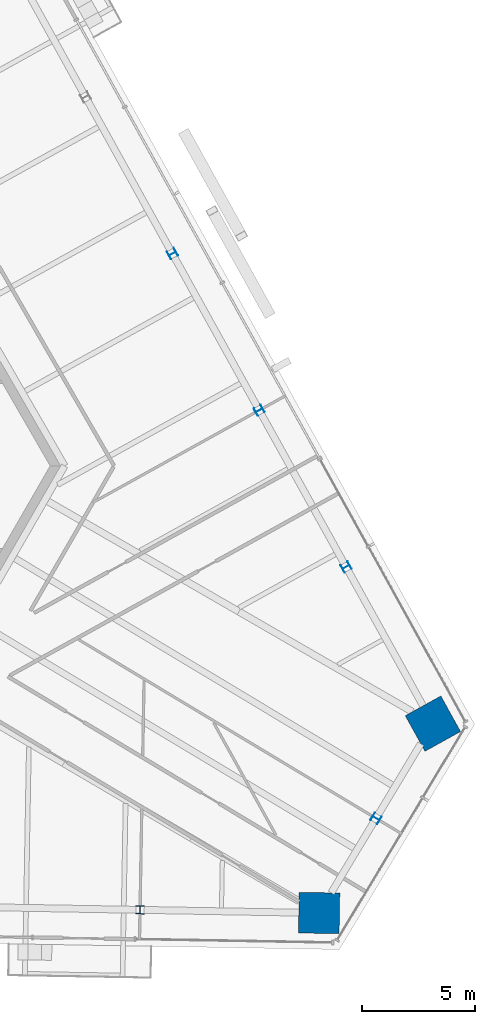
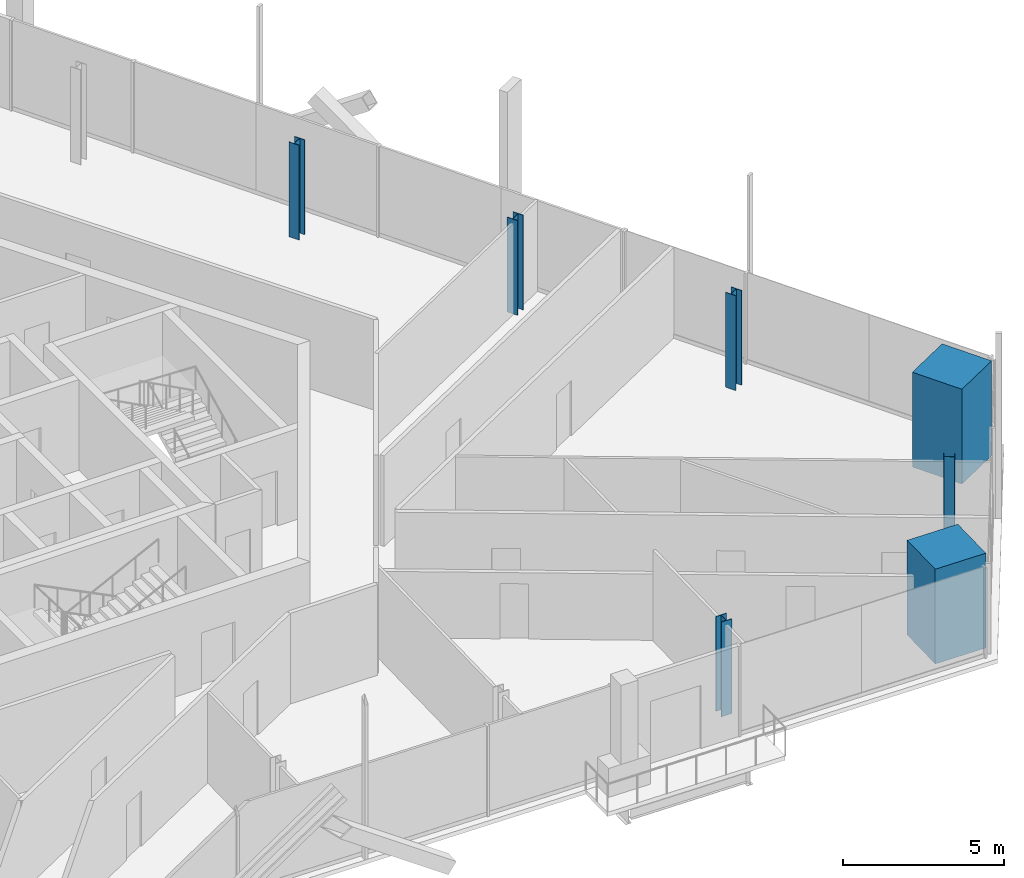
# One storey, part 2 of 20: 7 columns.
"""IFC4 building model written with IfcOpenShell, lengths in metres."""

from ifc_helpers import new_model, si_unit, direction, frame, origin, origin_2d, place, context, subcontext, project, spatial, rectangle, i_section, extrude, source, transform, mapped, material, material_profile, profile_set, type_object, element, save


model = new_model("IFC4")

# Units and contexts
model_context = context("Model", 3, precision=1e-05, world=origin(), true_north=direction((0.0, 1.0)))
body_context = subcontext(model_context, "Body", "Model", "MODEL_VIEW")
ifc_project = project(units=[si_unit("LENGTHUNIT", "METRE"), si_unit("AREAUNIT", "SQUARE_METRE"), si_unit("VOLUMEUNIT", "CUBIC_METRE"), si_unit("PLANEANGLEUNIT", "RADIAN"), si_unit("MASSUNIT", "GRAM", prefix="KILO")], contexts=[model_context])

# Site, building, storey
site_placement = place(None, origin())
site = spatial("IfcSite", under=ifc_project, at=site_placement, CompositionType="ELEMENT")
building_placement = place(site_placement, origin())
building = spatial("IfcBuilding", under=site, at=building_placement, Name="Triune Harvest Tower", CompositionType="ELEMENT")
storey_placement = place(building_placement, frame((0.0, 0.0, 194.300048828125)))
storey = spatial("IfcBuildingStorey", under=building, at=storey_placement, Name="L50", CompositionType="ELEMENT", Elevation=194.300048828125)

# Columns
ifc_material_1 = material(Name="Concrete 70 MPa", Category="concrete")
ifc_material_profile_1 = material_profile(ifc_material_1, rectangle(XDim=1.800048828125, YDim=1.800048828125, at=origin_2d()), Name="Composite 1800x1800")
ifc_profile_set_1 = profile_set([ifc_material_profile_1], Name="Concrete 70 MPa")
column_type_1 = type_object("IfcColumnType", Name="MC-5 Mega column Composite 1800x1800", PredefinedType="COLUMN", material=ifc_profile_set_1)
shared_shape_1 = source(origin(), body_context, "Body", "SweptSolid", [
    extrude(rectangle(XDim=1.800048828125, YDim=1.800048828125, at=origin_2d()), origin(), (0.0, 0.0, 1.0), 3.599853515625),
])
for number, where, z_axis, x_axis, name in (
    (1, (28.475341796875, -11.40673828125, 0.0), (0.0, 0.0, 1.0), (-0.484809620246, 0.874619707139, 0.0), "col/L50/M0"),
    (2, (23.43994140625, -19.787109375, 0.0), (0.0, 0.0, 1.0), (0.999847695156, -0.017452406437, 0.0), "col/L50/M22"),
):
    element("IfcColumn", number, at=place(storey_placement, frame(where, z_axis=z_axis, x_axis=x_axis)), inside=storey, type_object=column_type_1, Name=name, PredefinedType="COLUMN", context=body_context, shape_type="MappedRepresentation", body=[
        mapped(shared_shape_1, transform((0.0, 0.0, 0.0), scale=1.0)),
    ])
ifc_material_2 = material(Name="Steel ASTM A992 Gr 50", Category="steel")
ifc_material_profile_2 = material_profile(ifc_material_2, i_section(OverallWidth=0.370849609375, OverallDepth=0.36328125, WebThickness=0.013427734375, FlangeThickness=0.021728515625, at=origin_2d()), Name="W14x109")
ifc_profile_set_2 = profile_set([ifc_material_profile_2], Name="Steel ASTM A992 Gr 50")
column_type_2 = type_object("IfcColumnType", Name="PC-5 Perimeter column W14x109", PredefinedType="COLUMN", material=ifc_profile_set_2)
shared_shape_2 = source(origin(), body_context, "Body", "SweptSolid", [
    extrude(i_section(OverallWidth=0.370849609375, OverallDepth=0.36328125, WebThickness=0.013427734375, FlangeThickness=0.021728515625, at=origin_2d()), origin(), (0.0, 0.0, 1.0), 3.599853515625),
])
for number, where, z_axis, x_axis, name in (
    (3, (24.632080078125, -4.473388671875, 0.0), (0.0, 0.0, 1.0), (-0.484809620246, 0.874619707139, 0.0), "col/L50/P1"),
    (4, (20.788818359375, 2.459716796875, 0.0), (0.0, 0.0, 1.0), (-0.484809620246, 0.874619707139, 0.0), "col/L50/P2"),
    (5, (16.94580078125, 9.39306640625, 0.0), (0.0, 0.0, 1.0), (-0.484809620246, 0.874619707139, 0.0), "col/L50/P3"),
    (6, (15.513916015625, -19.648681640625, 0.0), (0.0, 0.0, 1.0), (0.999847695156, -0.017452406437, 0.0), "col/L50/P21"),
    (7, (25.95751953125, -15.596923828125, 0.0), (0.0, 0.0, 1.0), (0.515039570948, 0.85716640179, 0.0), "col/L50/P23"),
):
    element("IfcColumn", number, at=place(storey_placement, frame(where, z_axis=z_axis, x_axis=x_axis)), inside=storey, type_object=column_type_2, Name=name, PredefinedType="COLUMN", context=body_context, shape_type="MappedRepresentation", body=[
        mapped(shared_shape_2, transform((0.0, 0.0, 0.0), scale=1.0)),
    ])

save(model, "model.ifc")
